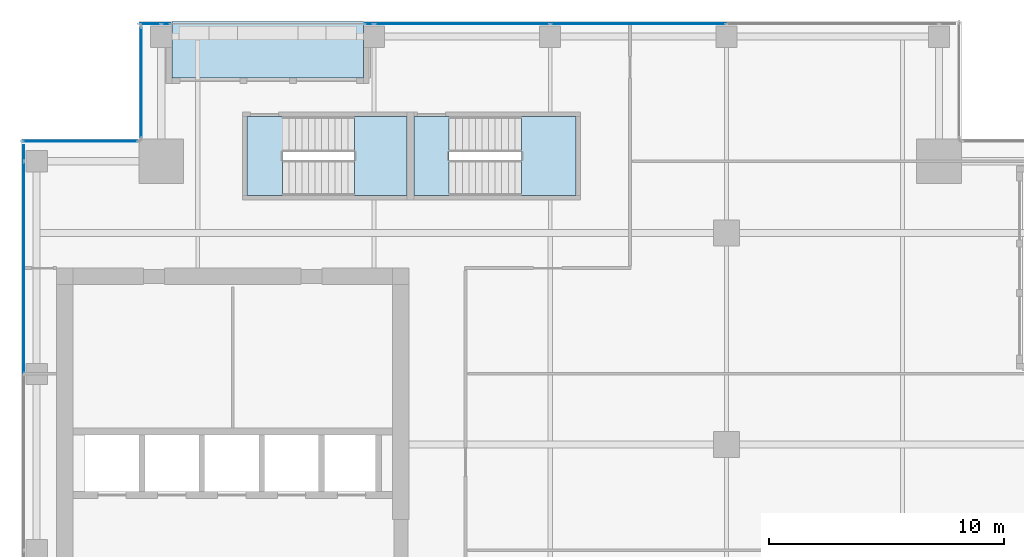
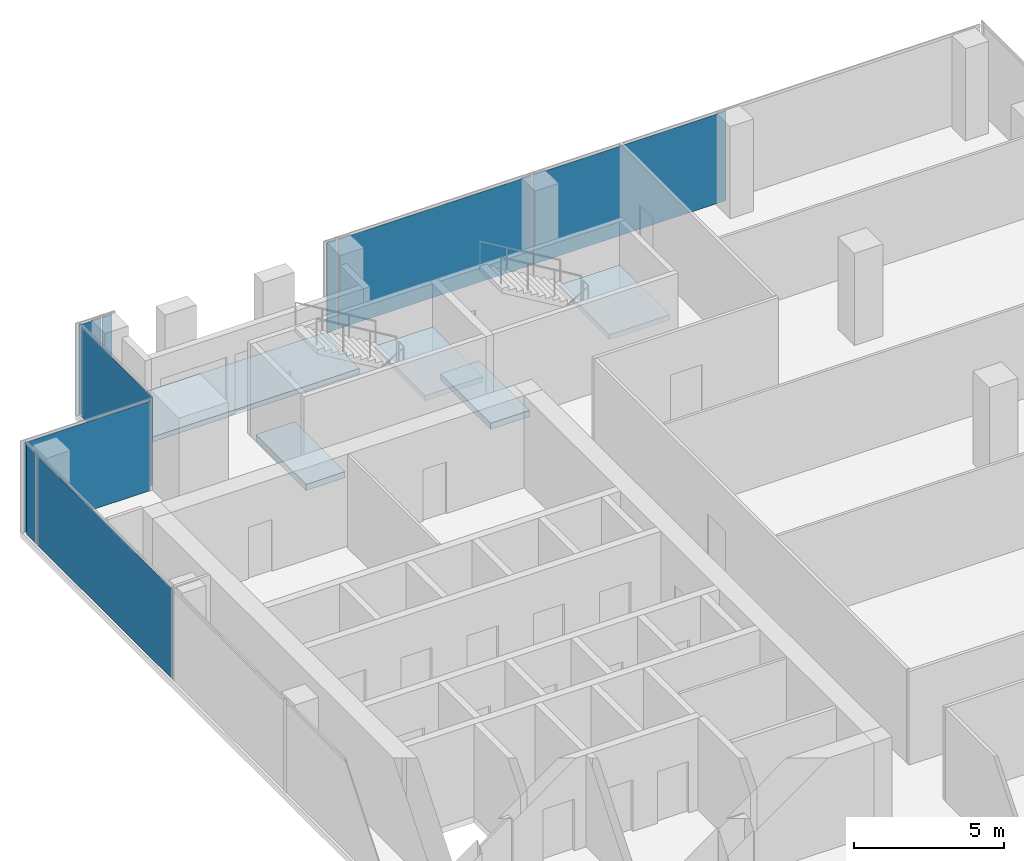
# One storey, part 27 of 34: 9 plates, 5 slabs, 7 elements without a shape of their own.
"""IFC4 building model written with IfcOpenShell, lengths in metres."""

import ifcopenshell
import ifcopenshell.guid

model = None  # the IFC model being written
_history = None  # IfcOwnerHistory: only IFC2X3 demands one
_inside = {}  # id of a spatial element -> (the spatial element, [elements in it])
_under = {}  # id of a project, library or spatial element -> (it, [spatial elements below it])
_declared = {}  # id of a project -> (the project, [libraries it declares])
_typed = {}  # id of a type object -> (the type object, [elements of that type])
_made_of = {}  # id of a material, layer set ... -> (it, [elements and type objects made of it])


def new_model(schema):
    """Start an empty IFC model of exactly this schema.

    Asked for "IFC4X3", IfcOpenShell would pick the latest addendum, in which some entities
    have other attributes; the version numbers below select the first issue.
    IFC2X3 requires an IfcOwnerHistory on every rooted entity: one is made here for all.
    """
    global model, _history
    if schema == "IFC4X3":
        model = ifcopenshell.file(schema_version=(4, 3, 0, 0))
    else:
        model = ifcopenshell.file(schema=schema)
    _inside.clear()
    _under.clear()
    _declared.clear()
    _typed.clear()
    _made_of.clear()
    _history = None
    if model.schema == "IFC2X3":
        org = make("IfcOrganization", Name="unknown")
        user = make(
            "IfcPersonAndOrganization",
            ThePerson=make("IfcPerson", FamilyName="unknown"),
            TheOrganization=org,
        )
        app = make(
            "IfcApplication",
            ApplicationDeveloper=org,
            Version="unknown",
            ApplicationFullName="unknown",
            ApplicationIdentifier="unknown",
        )
        _history = make(
            "IfcOwnerHistory",
            OwningUser=user,
            OwningApplication=app,
            ChangeAction="ADDED",
            CreationDate=0,
        )
    return model


def make(cls, **values):
    """One entity of the class cls with the attributes given. An attribute that is None is left unset."""
    return model.create_entity(
        cls, **{name: value for name, value in values.items() if value is not None}
    )


def rooted(cls, **values):
    """An entity with a GlobalId (a new one), such as an element, a storey or a relation."""
    return make(cls, GlobalId=ifcopenshell.guid.new(), OwnerHistory=_history, **values)


def si_unit(unit_type, name, prefix=None):
    """IfcSIUnit, for example si_unit("LENGTHUNIT", "METRE", prefix="MILLI")."""
    return make("IfcSIUnit", UnitType=unit_type, Prefix=prefix, Name=name)


def assignment(units):
    """IfcUnitAssignment: the units of a project."""
    return None if units is None else make("IfcUnitAssignment", Units=units)


def point(xyz):
    """IfcCartesianPoint."""
    return None if xyz is None else make("IfcCartesianPoint", Coordinates=xyz)


def direction(xyz):
    """IfcDirection."""
    return None if xyz is None else make("IfcDirection", DirectionRatios=xyz)


def frame(location, z_axis=None, x_axis=None):
    """IfcAxis2Placement3D, a coordinate frame: its origin and axes. An axis left out is left unset."""
    return make(
        "IfcAxis2Placement3D",
        Location=point(location),
        Axis=direction(z_axis),
        RefDirection=direction(x_axis),
    )


def frame_2d(location, x_axis=None):
    """IfcAxis2Placement2D, a coordinate frame in the plane: its origin and x axis."""
    return make(
        "IfcAxis2Placement2D", Location=point(location), RefDirection=direction(x_axis)
    )


def origin():
    """The frame at (0, 0, 0) with its axes left unset."""
    return frame((0.0, 0.0, 0.0))


def origin_2d():
    """The frame at (0, 0) in the plane with its x axis left unset."""
    return frame_2d((0.0, 0.0))


def place(relative_to, where):
    """IfcLocalPlacement: puts the frame where relative to a parent placement (None: the world)."""
    return make(
        "IfcLocalPlacement", PlacementRelTo=relative_to, RelativePlacement=where
    )


def context(
    kind, dimensions, precision=None, world=None, true_north=None, identifier=None
):
    """IfcGeometricRepresentationContext, for example the 3D "Model" context."""
    return make(
        "IfcGeometricRepresentationContext",
        ContextIdentifier=identifier,
        ContextType=kind,
        CoordinateSpaceDimension=dimensions,
        Precision=precision,
        WorldCoordinateSystem=world,
        TrueNorth=true_north,
    )


def subcontext(parent, identifier, kind, view, scale=None):
    """IfcGeometricRepresentationSubContext, for example "Body" below "Model"."""
    return make(
        "IfcGeometricRepresentationSubContext",
        ContextIdentifier=identifier,
        ContextType=kind,
        ParentContext=parent,
        TargetScale=scale,
        TargetView=view,
    )


def project(units=None, contexts=None):
    """IfcProject with its units and contexts."""
    return rooted(
        "IfcProject",
        Name="project",
        RepresentationContexts=contexts,
        UnitsInContext=assignment(units),
    )


def spatial(cls, under=None, at=None, **own):
    """A site, building, storey or space (cls), placed at a placement, below another one or the project."""
    s = rooted(cls, ObjectPlacement=at, **own)
    if under is not None:
        _under.setdefault(under.id(), (under, []))[1].append(s)
    return s


def polyline(points):
    """IfcPolyline through the points."""
    return make("IfcPolyline", Points=[point(p) for p in points])


def profile(cls, at=None, kind="AREA", **sizes):
    """A parametric profile (cls). Its sizes go by their IFC names, for example OverallWidth=200.0."""
    return make(cls, ProfileType=kind, Position=at, **sizes)


def rectangle(**sizes):
    """IfcRectangleProfileDef."""
    return profile("IfcRectangleProfileDef", **sizes)


def outline(outer, holes=None, kind="AREA"):
    """IfcArbitraryClosedProfileDef: a profile drawn as a closed curve; with holes, ...WithVoids."""
    if holes is None:
        return make("IfcArbitraryClosedProfileDef", ProfileType=kind, OuterCurve=outer)
    return make(
        "IfcArbitraryProfileDefWithVoids",
        ProfileType=kind,
        OuterCurve=outer,
        InnerCurves=holes,
    )


def extrude(swept, where, along, depth):
    """IfcExtrudedAreaSolid: the profile swept, set in the frame where, extruded along a direction by depth."""
    return make(
        "IfcExtrudedAreaSolid",
        SweptArea=swept,
        Position=where,
        ExtrudedDirection=direction(along),
        Depth=depth,
    )


def shape(context_of_items, identifier, shape_type, items):
    """IfcShapeRepresentation: the items that make up one representation, for example the "Body"."""
    return make(
        "IfcShapeRepresentation",
        ContextOfItems=context_of_items,
        RepresentationIdentifier=identifier,
        RepresentationType=shape_type,
        Items=items,
    )


def source(mapping_origin, context_of_items, identifier, shape_type, items):
    """IfcRepresentationMap: a shape defined once, which mapped items show again and again."""
    return make(
        "IfcRepresentationMap",
        MappingOrigin=mapping_origin,
        MappedRepresentation=shape(context_of_items, identifier, shape_type, items),
    )


def transform(
    local_origin,
    x_axis=None,
    y_axis=None,
    z_axis=None,
    scale=None,
    scale2=None,
    scale3=None,
    uniform=True,
):
    """IfcCartesianTransformationOperator3D, or its non-uniform kind. x_axis, y_axis, z_axis: its Axis1, 2, 3."""
    if uniform:
        return make(
            "IfcCartesianTransformationOperator3D",
            Axis1=direction(x_axis),
            Axis2=direction(y_axis),
            LocalOrigin=point(local_origin),
            Scale=scale,
            Axis3=direction(z_axis),
        )
    return make(
        "IfcCartesianTransformationOperator3DnonUniform",
        Axis1=direction(x_axis),
        Axis2=direction(y_axis),
        LocalOrigin=point(local_origin),
        Scale=scale,
        Axis3=direction(z_axis),
        Scale2=scale2,
        Scale3=scale3,
    )


def mapped(mapping_source, mapping_target):
    """IfcMappedItem: shows the shape of a source again, moved by a transform."""
    return make(
        "IfcMappedItem", MappingSource=mapping_source, MappingTarget=mapping_target
    )


def material(Name=None, Category=None):
    """IfcMaterial."""
    return make("IfcMaterial", Name=Name, Category=Category)


def layer(
    of_material, thickness, ventilated=None, Name=None, Category=None, Priority=None
):
    """IfcMaterialLayer: one layer of a wall or slab, of a material (None: an air gap)."""
    return make(
        "IfcMaterialLayer",
        Material=of_material,
        LayerThickness=thickness,
        IsVentilated=ventilated,
        Name=Name,
        Category=Category,
        Priority=Priority,
    )


def layer_set(layers, Name=None):
    """IfcMaterialLayerSet."""
    return make("IfcMaterialLayerSet", MaterialLayers=layers, LayerSetName=Name)


def made_of(thing, what):
    """Note that an element or type object is made of a material, layer set ...; save() writes the relation."""
    if what is not None:
        _made_of.setdefault(what.id(), (what, []))[1].append(thing)
    return thing


def type_object(cls, material=None, **own):
    """A type object (cls), such as IfcWallType, which elements share."""
    return made_of(rooted(cls, **own), material)


def element(
    cls,
    number,
    at=None,
    inside=None,
    cuts=None,
    type_object=None,
    material=None,
    context=None,
    identifier="Body",
    shape_type=None,
    held_by="IfcProductDefinitionShape",
    body=None,
    shapes=None,
    **own,
):
    """One element of the class cls, such as IfcWall. Its Tag is "e" and its number.

    at: its placement. inside: the storey or other place that contains it. cuts: it is an
    opening in that element (IfcRelVoidsElement). A single representation is given by context,
    identifier, shape_type and body (its items); several are given by shapes. held_by: the class
    of the entity that holds the representations. save() writes the other relations.
    """
    e = rooted(cls, Tag="e%d" % number, ObjectPlacement=at, **own)
    if body is not None:
        shapes = [shape(context, identifier, shape_type, body)]
    if shapes is not None:
        e.Representation = make(held_by, Representations=shapes)
    if inside is not None:
        _inside.setdefault(inside.id(), (inside, []))[1].append(e)
    if cuts is not None:
        rooted(
            "IfcRelVoidsElement", RelatingBuildingElement=cuts, RelatedOpeningElement=e
        )
    if type_object is not None:
        _typed.setdefault(type_object.id(), (type_object, []))[1].append(e)
    return made_of(e, material)


def aggregate(whole, parts):
    """IfcRelAggregates: a whole, such as a stair, and the parts it consists of."""
    return rooted("IfcRelAggregates", RelatingObject=whole, RelatedObjects=parts)


def save(model, path):
    """Write the relations noted so far, then the file.

    IfcRelAggregates (storeys below a building ...), IfcRelContainedInSpatialStructure (elements
    in a storey), IfcRelDefinesByType, IfcRelAssociatesMaterial and IfcRelDeclares: one each for
    every whole, place, type object, material and project.
    """
    for whole, parts in _under.values():
        aggregate(whole, parts)
    for where, things in _inside.values():
        rooted(
            "IfcRelContainedInSpatialStructure",
            RelatedElements=things,
            RelatingStructure=where,
        )
    for kind, things in _typed.values():
        rooted("IfcRelDefinesByType", RelatedObjects=things, RelatingType=kind)
    for what, things in _made_of.values():
        rooted("IfcRelAssociatesMaterial", RelatedObjects=things, RelatingMaterial=what)
    for by, libraries in _declared.values():
        rooted("IfcRelDeclares", RelatingContext=by, RelatedDefinitions=libraries)
    model.write(path)


model = new_model("IFC4")

# Units and contexts
model_context = context("Model", 3, precision=1e-05, world=origin(), true_north=direction((0.0, 1.0)))
body_context = subcontext(model_context, "Body", "Model", "MODEL_VIEW")
ifc_project = project(units=[si_unit("LENGTHUNIT", "METRE"), si_unit("AREAUNIT", "SQUARE_METRE"), si_unit("VOLUMEUNIT", "CUBIC_METRE"), si_unit("PLANEANGLEUNIT", "RADIAN"), si_unit("MASSUNIT", "GRAM", prefix="KILO")], contexts=[model_context])

# Site, building, storey
site_placement = place(None, origin())
site = spatial("IfcSite", under=ifc_project, at=site_placement, CompositionType="ELEMENT")
building_placement = place(site_placement, origin())
building = spatial("IfcBuilding", under=site, at=building_placement, Name="Khomas Fold Tower", CompositionType="ELEMENT")
storey_placement = place(building_placement, frame((0.0, 0.0, 254.199951171875)))
storey = spatial("IfcBuildingStorey", under=building, at=storey_placement, Name="L57", CompositionType="ELEMENT", Elevation=254.199951171875)

# Curtain wall, plate
ifc_material_1 = material(Name="Aluminium framed double glazing", Category="aluminium")
curtain_wall_type = type_object("IfcCurtainWallType", Name="SK-Unitised clear-glass wall, office floors CW2", PredefinedType="NOTDEFINED", material=ifc_material_1)
curtain_wall_1_placement = place(storey_placement, origin())
curtain_wall_1 = element("IfcCurtainWall", 1, at=curtain_wall_1_placement, inside=storey, type_object=curtain_wall_type, Name="CW2 run L57 09-0", PredefinedType="NOTDEFINED")
ifc_material_2 = material(Name="Clear double glazed unit")
ifc_layer_1 = layer(ifc_material_2, 0.030029296875)
ifc_layer_set_1 = layer_set([ifc_layer_1], Name="Clear double glazed unit")
plate_type = type_object("IfcPlateType", Name="SK-Unitised clear-glass wall, office floors glass panel CW2-P", PredefinedType="CURTAIN_PANEL", material=ifc_layer_set_1)
shared_shape_1 = source(origin(), body_context, "Body", "SweptSolid", [
    extrude(rectangle(XDim=0.659912109375, YDim=0.030029296875, at=origin_2d()), origin(), (0.0, 0.0, 1.0), 3.639892578125),
])
plate_1_placement = place(storey_placement, frame((4.60009765625, 43.909912109375, 0.0), z_axis=(0.0, 0.0, 1.0), x_axis=(0.0, -1.0, 0.0)))
plate_1 = element("IfcPlate", 2, at=plate_1_placement, type_object=plate_type, Name="CW2 glass panel 1", PredefinedType="CURTAIN_PANEL", context=body_context, shape_type="MappedRepresentation", body=[
    mapped(shared_shape_1, transform((0.0, 0.0, 0.0))),
])

# Curtain wall, plates
curtain_wall_2_placement = place(storey_placement, origin())
curtain_wall_2 = element("IfcCurtainWall", 3, at=curtain_wall_2_placement, inside=storey, type_object=curtain_wall_type, Name="CW2 run L57 06-0", PredefinedType="NOTDEFINED")
shared_shape_2 = source(origin(), body_context, "Body", "SweptSolid", [
    extrude(rectangle(XDim=7.43994140625, YDim=0.030029296875, at=origin_2d()), origin(), (0.0, 0.0, 1.0), 3.639892578125),
])
plate_2_placement = place(storey_placement, frame((30.75, 49.39990234375, 0.0), z_axis=(0.0, 0.0, 1.0), x_axis=(-1.0, 0.0, 0.0)))
plate_2 = element("IfcPlate", 4, at=plate_2_placement, type_object=plate_type, Name="CW2 glass panel 3", PredefinedType="CURTAIN_PANEL", context=body_context, shape_type="MappedRepresentation", body=[
    mapped(shared_shape_2, transform((0.0, 0.0, 0.0))),
])
plate_3_placement = place(storey_placement, frame((23.25, 49.39990234375, 0.0), z_axis=(0.0, 0.0, 1.0), x_axis=(-1.0, 0.0, 0.0)))
plate_3 = element("IfcPlate", 5, at=plate_3_placement, type_object=plate_type, Name="CW2 glass panel 4", PredefinedType="CURTAIN_PANEL", context=body_context, shape_type="MappedRepresentation", body=[
    mapped(shared_shape_2, transform((0.0, 0.0, 0.0))),
])

# Curtain wall, plate
curtain_wall_3_placement = place(storey_placement, origin())
curtain_wall_3 = element("IfcCurtainWall", 6, at=curtain_wall_3_placement, inside=storey, type_object=curtain_wall_type, Name="CW2 run L57 06-1", PredefinedType="NOTDEFINED")
shared_shape_3 = source(origin(), body_context, "Body", "SweptSolid", [
    extrude(rectangle(XDim=0.860107421875, YDim=0.030029296875, at=origin_2d()), origin(), (0.0, 0.0, 1.0), 3.639892578125),
])
plate_4_placement = place(storey_placement, frame((9.989990234375, 49.39990234375, 0.0), z_axis=(0.0, 0.0, 1.0), x_axis=(-1.0, 0.0, 0.0)))
plate_4 = element("IfcPlate", 7, at=plate_4_placement, type_object=plate_type, Name="CW2 glass panel 2", PredefinedType="CURTAIN_PANEL", context=body_context, shape_type="MappedRepresentation", body=[
    mapped(shared_shape_3, transform((0.0, 0.0, 0.0))),
])

# Plate
shared_shape_4 = source(origin(), body_context, "Body", "SweptSolid", [
    extrude(rectangle(XDim=8.989990234375, YDim=0.030029296875, at=origin_2d()), origin(), (0.0, 0.0, 1.0), 3.639892578125),
])
plate_5_placement = place(storey_placement, frame((4.60009765625, 39.02490234375, 0.0), z_axis=(0.0, 0.0, 1.0), x_axis=(0.0, -1.0, 0.0)))
plate_5 = element("IfcPlate", 8, at=plate_5_placement, type_object=plate_type, Name="CW2 glass panel 2", PredefinedType="CURTAIN_PANEL", context=body_context, shape_type="MappedRepresentation", body=[
    mapped(shared_shape_4, transform((0.0, 0.0, 0.0))),
])

aggregate(curtain_wall_1, [plate_1, plate_5])

# Curtain wall, plate
curtain_wall_4_placement = place(storey_placement, origin())
curtain_wall_4 = element("IfcCurtainWall", 9, at=curtain_wall_4_placement, inside=storey, type_object=curtain_wall_type, Name="CW2 corner return L57 07", PredefinedType="NOTDEFINED")
shared_shape_5 = source(origin(), body_context, "Body", "SweptSolid", [
    extrude(rectangle(XDim=4.679931640625, YDim=0.030029296875, at=origin_2d()), origin(), (0.0, 0.0, 1.0), 3.639892578125),
])
plate_6_placement = place(storey_placement, frame((9.60009765625, 46.89990234375, 0.0), z_axis=(0.0, 0.0, 1.0), x_axis=(0.0, -1.0, 0.0)))
plate_6 = element("IfcPlate", 10, at=plate_6_placement, type_object=plate_type, Name="CW2 glass panel 1", PredefinedType="CURTAIN_PANEL", context=body_context, shape_type="MappedRepresentation", body=[
    mapped(shared_shape_5, transform((0.0, 0.0, 0.0))),
])
aggregate(curtain_wall_4, [plate_6])

curtain_wall_5_placement = place(storey_placement, origin())
curtain_wall_5 = element("IfcCurtainWall", 11, at=curtain_wall_5_placement, inside=storey, type_object=curtain_wall_type, Name="CW2 corner return L57 08", PredefinedType="NOTDEFINED")
shared_shape_6 = source(origin(), body_context, "Body", "SweptSolid", [
    extrude(rectangle(XDim=4.8798828125, YDim=0.030029296875, at=origin_2d()), origin(), (0.0, 0.0, 1.0), 3.639892578125),
])
plate_7_placement = place(storey_placement, frame((7.0, 44.39990234375, 0.0), z_axis=(0.0, 0.0, 1.0), x_axis=(-1.0, 0.0, 0.0)))
plate_7 = element("IfcPlate", 12, at=plate_7_placement, type_object=plate_type, Name="CW2 glass panel 1", PredefinedType="CURTAIN_PANEL", context=body_context, shape_type="MappedRepresentation", body=[
    mapped(shared_shape_6, transform((0.0, 0.0, 0.0))),
])
aggregate(curtain_wall_5, [plate_7])

# Plate
shared_shape_7 = source(origin(), body_context, "Body", "SweptSolid", [
    extrude(rectangle(XDim=0.360107421875, YDim=0.030029296875, at=origin_2d()), origin(), (0.0, 0.0, 1.0), 3.639892578125),
])
plate_8_placement = place(storey_placement, frame((19.2900390625, 49.39990234375, 0.0), z_axis=(0.0, 0.0, 1.0), x_axis=(-1.0, 0.0, 0.0)))
plate_8 = element("IfcPlate", 13, at=plate_8_placement, type_object=plate_type, Name="CW2 glass panel 5", PredefinedType="CURTAIN_PANEL", context=body_context, shape_type="MappedRepresentation", body=[
    mapped(shared_shape_7, transform((0.0, 0.0, 0.0))),
])

aggregate(curtain_wall_2, [plate_2, plate_3, plate_8])

plate_9_placement = place(storey_placement, frame((10.659912109375, 49.39990234375, 0.0), z_axis=(0.0, 0.0, 1.0), x_axis=(-1.0, 0.0, 0.0)))
plate_9 = element("IfcPlate", 14, at=plate_9_placement, type_object=plate_type, Name="CW2 glass panel 1", PredefinedType="CURTAIN_PANEL", context=body_context, shape_type="MappedRepresentation", body=[
    mapped(shared_shape_7, transform((0.0, 0.0, 0.0))),
])

aggregate(curtain_wall_3, [plate_9, plate_4])

# Slab
ifc_material_3 = material(Name="Concrete C40/50", Category="concrete")
ifc_layer_2 = layer(ifc_material_3, 0.205078125)
ifc_layer_set_2 = layer_set([ifc_layer_2], Name="Concrete C40/50")
slab_type_1 = type_object("IfcSlabType", Name="BL-Balcony deck 205", PredefinedType="FLOOR", material=ifc_layer_set_2)
shared_shape_8 = source(origin(), body_context, "Body", "SweptSolid", [
    extrude(outline(polyline([(10.89990234375, 47.10009765625), (19.050048828125, 47.10009765625), (19.050048828125, 49.5), (10.89990234375, 49.5), (10.89990234375, 47.10009765625)])), origin(), (0.0, 0.0, 1.0), 0.205078125),
])
slab_1_placement = place(storey_placement, frame((0.0, 0.0, -0.25)))
element("IfcSlab", 15, at=slab_1_placement, inside=storey, type_object=slab_type_1, Name="Balcony deck BAL-L57-N1", PredefinedType="FLOOR", context=body_context, shape_type="MappedRepresentation", body=[
    mapped(shared_shape_8, transform((0.0, 0.0, 0.0))),
])

# Stair, slab
ifc_material_4 = material(Name="Concrete C40/50", Category="concrete")
stair_type_1 = type_object("IfcStairType", Name="Stair ST1", PredefinedType="HALF_TURN_STAIR", material=ifc_material_4)
stair_1_placement = place(storey_placement, origin())
stair_1 = element("IfcStair", 16, at=stair_1_placement, inside=storey, type_object=stair_type_1, Name="L57 ST1", PredefinedType="HALF_TURN_STAIR")
ifc_material_5 = material(Name="Concrete C40/50", Category="concrete")
ifc_layer_3 = layer(ifc_material_5, 0.199951171875)
ifc_layer_set_3 = layer_set([ifc_layer_3], Name="Concrete C40/50")
slab_type_2 = type_object("IfcSlabType", Name="Stair landing 200", PredefinedType="LANDING", material=ifc_layer_set_3)
shared_shape_9 = source(origin(), body_context, "Body", "SweptSolid", [
    extrude(outline(polyline([(18.679931640625, 42.10009765625), (20.89990234375, 42.10009765625), (20.89990234375, 45.449951171875), (18.679931640625, 45.449951171875), (18.679931640625, 42.10009765625)])), origin(), (0.0, 0.0, 1.0), 0.199951171875),
])
slab_2_placement = place(storey_placement, frame((0.0, 0.0, 1.800048828125)))
slab_2 = element("IfcSlab", 17, at=slab_2_placement, type_object=slab_type_2, Name="ST1 landing 1", PredefinedType="LANDING", context=body_context, shape_type="MappedRepresentation", body=[
    mapped(shared_shape_9, transform((0.0, 0.0, 0.0))),
])
aggregate(stair_1, [slab_2])

# Slab
ifc_material_6 = material(Name="Concrete C40/50", Category="concrete")
ifc_layer_4 = layer(ifc_material_6, 0.25)
ifc_layer_set_4 = layer_set([ifc_layer_4], Name="Concrete C40/50")
slab_type_3 = type_object("IfcSlabType", Name="Stair floor landing 250", PredefinedType="LANDING", material=ifc_layer_set_4)
shared_shape_10 = source(origin(), body_context, "Body", "SweptSolid", [
    extrude(outline(polyline([(15.60009765625, 42.10009765625), (14.10009765625, 42.10009765625), (14.10009765625, 45.449951171875), (15.60009765625, 45.449951171875), (15.60009765625, 42.10009765625)])), origin(), (0.0, 0.0, 1.0), 0.25),
])
slab_3_placement = place(storey_placement, frame((0.0, 0.0, -0.25)))
element("IfcSlab", 18, at=slab_3_placement, inside=storey, type_object=slab_type_3, Name="ST1 floor landing", PredefinedType="LANDING", context=body_context, shape_type="MappedRepresentation", body=[
    mapped(shared_shape_10, transform((0.0, 0.0, 0.0))),
])

# Stair, slab
ifc_material_7 = material(Name="Concrete C40/50", Category="concrete")
stair_type_2 = type_object("IfcStairType", Name="Stair ST3", PredefinedType="HALF_TURN_STAIR", material=ifc_material_7)
stair_2_placement = place(storey_placement, origin())
stair_2 = element("IfcStair", 19, at=stair_2_placement, inside=storey, type_object=stair_type_2, Name="L57 ST3", PredefinedType="HALF_TURN_STAIR")
shared_shape_11 = source(origin(), body_context, "Body", "SweptSolid", [
    extrude(outline(polyline([(25.780029296875, 42.10009765625), (28.10009765625, 42.10009765625), (28.10009765625, 45.449951171875), (25.780029296875, 45.449951171875), (25.780029296875, 42.10009765625)])), origin(), (0.0, 0.0, 1.0), 0.199951171875),
])
slab_4_placement = place(storey_placement, frame((0.0, 0.0, 1.800048828125)))
slab_4 = element("IfcSlab", 20, at=slab_4_placement, type_object=slab_type_2, Name="ST3 landing 1", PredefinedType="LANDING", context=body_context, shape_type="MappedRepresentation", body=[
    mapped(shared_shape_11, transform((0.0, 0.0, 0.0))),
])
aggregate(stair_2, [slab_4])

# Slab
shared_shape_12 = source(origin(), body_context, "Body", "SweptSolid", [
    extrude(outline(polyline([(22.699951171875, 42.10009765625), (21.199951171875, 42.10009765625), (21.199951171875, 45.449951171875), (22.699951171875, 45.449951171875), (22.699951171875, 42.10009765625)])), origin(), (0.0, 0.0, 1.0), 0.25),
])
slab_5_placement = place(storey_placement, frame((0.0, 0.0, -0.25)))
element("IfcSlab", 21, at=slab_5_placement, inside=storey, type_object=slab_type_3, Name="ST3 floor landing", PredefinedType="LANDING", context=body_context, shape_type="MappedRepresentation", body=[
    mapped(shared_shape_12, transform((0.0, 0.0, 0.0))),
])

save(model, "model.ifc")
